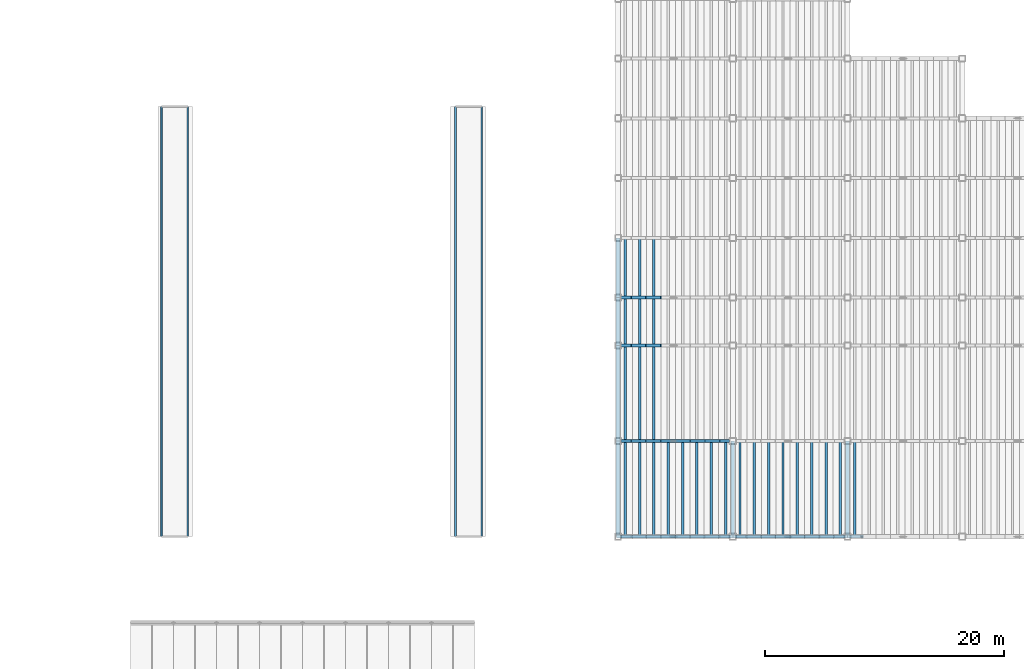
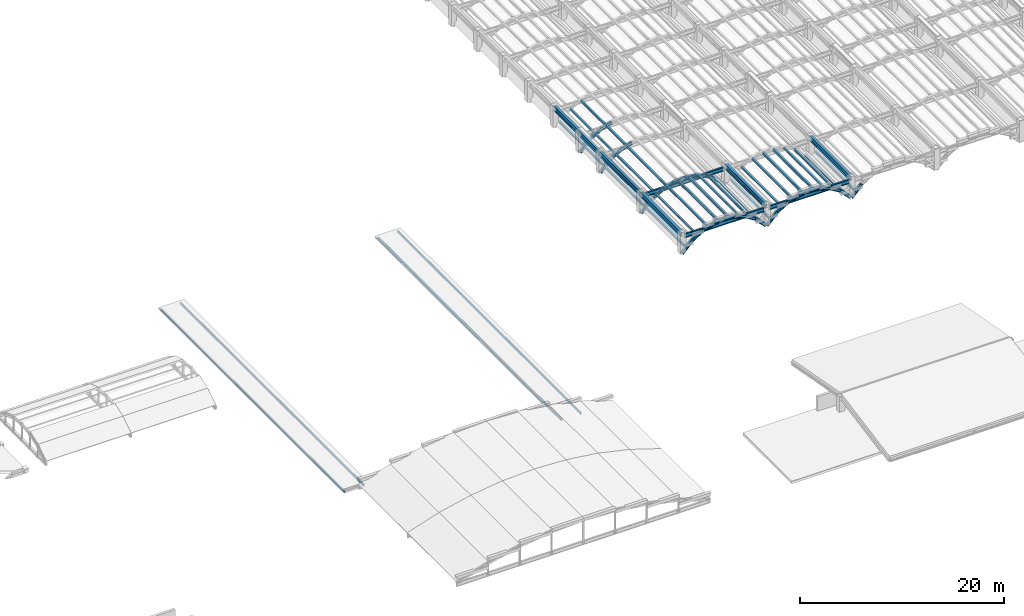
# One storey, part 16 of 70: 57 members, 13 beams.
"""IFC4 building model written with IfcOpenShell, lengths in metres."""

from ifc_helpers import new_model, si_unit, direction, frame, origin, origin_2d, place, context, subcontext, project, spatial, hollow_rectangle, i_section, extrude, material, material_profile, profile_set, type_object, element, save


model = new_model("IFC4")

# Units and contexts
model_context = context("Model", 3, precision=1e-05, world=origin(), true_north=direction((0.0, 1.0)))
body_context = subcontext(model_context, "Body", "Model", "MODEL_VIEW")
ifc_project = project(units=[si_unit("LENGTHUNIT", "METRE"), si_unit("AREAUNIT", "SQUARE_METRE"), si_unit("VOLUMEUNIT", "CUBIC_METRE"), si_unit("PLANEANGLEUNIT", "RADIAN"), si_unit("MASSUNIT", "GRAM", prefix="KILO")], contexts=[model_context])

# Site, building, storey
site_placement = place(None, origin())
site = spatial("IfcSite", under=ifc_project, at=site_placement, CompositionType="ELEMENT")
building_placement = place(site_placement, origin())
building = spatial("IfcBuilding", under=site, at=building_placement, Name="Mavantir Sound Aquarium", CompositionType="ELEMENT")
storey_placement = place(building_placement, frame((0.0, 0.0, 27.0)))
storey = spatial("IfcBuildingStorey", under=building, at=storey_placement, Name="RF", CompositionType="ELEMENT", Elevation=27.0)

# Beams
ifc_material_1 = material(Name="Hollow Structural Steel ASTM A500 GrC", Category="steel")
ifc_material_profile_1 = material_profile(ifc_material_1, hollow_rectangle(XDim=0.14990234375, YDim=0.25, WallThickness=0.010009765625, InnerFilletRadius=0.010009765625, OuterFilletRadius=0.02001953125, at=origin_2d()), Name="RHS 250X150X10")
ifc_profile_set_1 = profile_set([ifc_material_profile_1], Name="Hollow Structural Steel ASTM A500 GrC")
beam_type_1 = type_object("IfcBeamType", Name="BM-RHS250-E", PredefinedType="BEAM", material=ifc_profile_set_1)
for number, where, z_axis, x_axis, name in (
    (1, (69.800048828125, 40.800048828125, -22.52490234375), (0.0, 1.0, 0.0), (-1.0, 0.0, 0.0), "Tidal court colonnade canopy beam W1"),
    (2, (72.0, 40.800048828125, -22.52490234375), (0.0, 1.0, 0.0), (-1.0, 0.0, 0.0), "Tidal court colonnade canopy beam W2"),
    (3, (94.39990234375, 40.800048828125, -22.52490234375), (0.0, 1.0, 0.0), (-1.0, 0.0, 0.0), "Tidal court colonnade canopy beam E1"),
    (4, (96.60009765625, 40.800048828125, -22.52490234375), (0.0, 1.0, 0.0), (-1.0, 0.0, 0.0), "Tidal court colonnade canopy beam E2"),
):
    element("IfcBeam", number, at=place(storey_placement, frame(where, z_axis=z_axis, x_axis=x_axis)), inside=storey, type_object=beam_type_1, Name=name, PredefinedType="BEAM", context=body_context, shape_type="SweptSolid", body=[
        extrude(hollow_rectangle(XDim=0.14990234375, YDim=0.25, WallThickness=0.010009765625, InnerFilletRadius=0.010009765625, OuterFilletRadius=0.02001953125, at=origin_2d()), origin(), (0.0, 0.0, 1.0), 36.0),
    ])
ifc_material_2 = material(Name="Structural Steel ASTM A992 Gr50", Category="steel")
ifc_material_profile_2 = material_profile(ifc_material_2, i_section(OverallWidth=0.194091796875, OverallDepth=0.468994140625, WebThickness=0.0126953125, FlangeThickness=0.0205078125, FilletRadius=0.01611328125, at=origin_2d()), Name="W460X106")
ifc_profile_set_2 = profile_set([ifc_material_profile_2], Name="Structural Steel ASTM A992 Gr50")
beam_type_2 = type_object("IfcBeamType", Name="BM-W460X106-I", PredefinedType="BEAM", material=ifc_profile_set_2)
for number, where, z_axis, x_axis, name in (
    (5, (108.25, 40.800048828125, -5.327392578125), (1.0, 0.0, 0.0), (0.0, 1.0, 0.0), "Scalloped bay 1 transverse tie girder 1"),
    (6, (108.25, 48.800048828125, -5.327392578125), (1.0, 0.0, 0.0), (0.0, 1.0, 0.0), "Scalloped bay 1 transverse tie girder 11"),
):
    element("IfcBeam", number, at=place(storey_placement, frame(where, z_axis=z_axis, x_axis=x_axis)), inside=storey, type_object=beam_type_2, Name=name, PredefinedType="BEAM", context=body_context, shape_type="SweptSolid", body=[
        extrude(i_section(OverallWidth=0.194091796875, OverallDepth=0.468994140625, WebThickness=0.0126953125, FlangeThickness=0.0205078125, FilletRadius=0.01611328125, at=origin_2d()), origin(), (0.0, 0.0, 1.0), 9.10009765625),
    ])
beam_1_placement = place(storey_placement, frame((117.85009765625, 40.800048828125, -5.327392578125), z_axis=(1.0, 0.0, 0.0), x_axis=(0.0, 1.0, 0.0)))
element("IfcBeam", 7, at=beam_1_placement, inside=storey, type_object=beam_type_2, Name="Scalloped bay 2 transverse tie girder 101", PredefinedType="BEAM", context=body_context, shape_type="SweptSolid", body=[
    extrude(i_section(OverallWidth=0.194091796875, OverallDepth=0.468994140625, WebThickness=0.0126953125, FlangeThickness=0.0205078125, FilletRadius=0.01611328125, at=origin_2d()), origin(), (0.0, 0.0, 1.0), 9.099853515625),
])
ifc_material_profile_3 = material_profile(ifc_material_2, i_section(OverallWidth=0.323974609375, OverallDepth=0.611083984375, WebThickness=0.0126953125, FlangeThickness=0.01904296875, FilletRadius=0.01904296875, at=origin_2d()), Name="W610X155")
ifc_profile_set_3 = profile_set([ifc_material_profile_3], Name="Structural Steel ASTM A992 Gr50")
beam_type_3 = type_object("IfcBeamType", Name="BM-W610X155-E", PredefinedType="BEAM", material=ifc_profile_set_3)
for number, where, z_axis, x_axis, name in (
    (8, (108.0, 40.800048828125, -5.0048828125), (0.0, 1.0, 0.0), (-1.0, 0.0, 0.0), "Scalloped roof straight ridge beam 1"),
    (9, (108.0, 48.800048828125, -5.0048828125), (0.0, 1.0, 0.0), (-1.0, 0.0, 0.0), "Scalloped roof straight ridge beam 2"),
):
    element("IfcBeam", number, at=place(storey_placement, frame(where, z_axis=z_axis, x_axis=x_axis)), inside=storey, type_object=beam_type_3, Name=name, PredefinedType="BEAM", context=body_context, shape_type="SweptSolid", body=[
        extrude(i_section(OverallWidth=0.323974609375, OverallDepth=0.611083984375, WebThickness=0.0126953125, FlangeThickness=0.01904296875, FilletRadius=0.01904296875, at=origin_2d()), origin(), (0.0, 0.0, 1.0), 8.0),
    ])
beam_2_placement = place(storey_placement, frame((108.0, 56.800048828125, -5.0048828125), z_axis=(0.0, 1.0, 0.0), x_axis=(-1.0, 0.0, 0.0)))
element("IfcBeam", 10, at=beam_2_placement, inside=storey, type_object=beam_type_3, Name="Scalloped roof straight ridge beam 3", PredefinedType="BEAM", context=body_context, shape_type="SweptSolid", body=[
    extrude(i_section(OverallWidth=0.323974609375, OverallDepth=0.611083984375, WebThickness=0.0126953125, FlangeThickness=0.01904296875, FilletRadius=0.01904296875, at=origin_2d()), origin(), (0.0, 0.0, 1.0), 4.0),
])
beam_3_placement = place(storey_placement, frame((108.0, 60.800048828125, -5.0048828125), z_axis=(0.0, 1.0, 0.0), x_axis=(-1.0, 0.0, 0.0)))
element("IfcBeam", 11, at=beam_3_placement, inside=storey, type_object=beam_type_3, Name="Scalloped roof straight ridge beam 4", PredefinedType="BEAM", context=body_context, shape_type="SweptSolid", body=[
    extrude(i_section(OverallWidth=0.323974609375, OverallDepth=0.611083984375, WebThickness=0.0126953125, FlangeThickness=0.01904296875, FilletRadius=0.01904296875, at=origin_2d()), origin(), (0.0, 0.0, 1.0), 5.0),
])
for number, where, z_axis, x_axis, name in (
    (12, (117.60009765625, 40.800048828125, -5.0048828125), (0.0, 1.0, 0.0), (-1.0, 0.0, 0.0), "Scalloped roof straight ridge beam 10"),
    (13, (127.199951171875, 40.800048828125, -5.0048828125), (0.0, 1.0, 0.0), (-1.0, 0.0, 0.0), "Scalloped roof straight ridge beam 19"),
):
    element("IfcBeam", number, at=place(storey_placement, frame(where, z_axis=z_axis, x_axis=x_axis)), inside=storey, type_object=beam_type_3, Name=name, PredefinedType="BEAM", context=body_context, shape_type="SweptSolid", body=[
        extrude(i_section(OverallWidth=0.323974609375, OverallDepth=0.611083984375, WebThickness=0.0126953125, FlangeThickness=0.01904296875, FilletRadius=0.01904296875, at=origin_2d()), origin(), (0.0, 0.0, 1.0), 8.0),
    ])

# Members
ifc_material_profile_4 = material_profile(ifc_material_2, i_section(OverallWidth=0.202880859375, OverallDepth=0.202880859375, WebThickness=0.007080078125, FlangeThickness=0.010986328125, FilletRadius=0.010009765625, at=origin_2d()), Name="W200X46")
ifc_profile_set_4 = profile_set([ifc_material_profile_4], Name="Structural Steel ASTM A992 Gr50")
member_type_1 = type_object("IfcMemberType", Name="MEM-TR-W200", PredefinedType="PURLIN", material=ifc_profile_set_4)
for number, where, z_axis, x_axis, name in (
    (14, (109.800048828125, 40.800048828125, -5.77978515625), (0.0, 1.0, 0.0), (-1.0, 0.0, 0.0), "Scalloped bay 1 roof purlin 2"),
    (15, (114.60009765625, 40.800048828125, -5.169921875), (0.0, 1.0, 0.0), (-1.0, 0.0, 0.0), "Scalloped bay 1 roof purlin 6"),
    (16, (117.0, 40.800048828125, -6.881103515625), (0.0, 1.0, 0.0), (-1.0, 0.0, 0.0), "Scalloped bay 1 roof purlin 8"),
    (17, (109.800048828125, 48.800048828125, -5.77978515625), (0.0, 1.0, 0.0), (-1.0, 0.0, 0.0), "Scalloped bay 1 roof purlin 10"),
):
    element("IfcMember", number, at=place(storey_placement, frame(where, z_axis=z_axis, x_axis=x_axis)), inside=storey, type_object=member_type_1, Name=name, PredefinedType="PURLIN", context=body_context, shape_type="SweptSolid", body=[
        extrude(i_section(OverallWidth=0.202880859375, OverallDepth=0.202880859375, WebThickness=0.007080078125, FlangeThickness=0.010986328125, FilletRadius=0.010009765625, at=origin_2d()), origin(), (0.0, 0.0, 1.0), 8.0),
    ])
member_1_placement = place(storey_placement, frame((109.800048828125, 56.800048828125, -5.77978515625), z_axis=(0.0, 1.0, 0.0), x_axis=(-1.0, 0.0, 0.0)))
element("IfcMember", 18, at=member_1_placement, inside=storey, type_object=member_type_1, Name="Scalloped bay 1 roof purlin 18", PredefinedType="PURLIN", context=body_context, shape_type="SweptSolid", body=[
    extrude(i_section(OverallWidth=0.202880859375, OverallDepth=0.202880859375, WebThickness=0.007080078125, FlangeThickness=0.010986328125, FilletRadius=0.010009765625, at=origin_2d()), origin(), (0.0, 0.0, 1.0), 4.0),
])
member_2_placement = place(storey_placement, frame((109.800048828125, 60.800048828125, -5.77978515625), z_axis=(0.0, 1.0, 0.0), x_axis=(-1.0, 0.0, 0.0)))
element("IfcMember", 19, at=member_2_placement, inside=storey, type_object=member_type_1, Name="Scalloped bay 1 roof purlin 26", PredefinedType="PURLIN", context=body_context, shape_type="SweptSolid", body=[
    extrude(i_section(OverallWidth=0.202880859375, OverallDepth=0.202880859375, WebThickness=0.007080078125, FlangeThickness=0.010986328125, FilletRadius=0.010009765625, at=origin_2d()), origin(), (0.0, 0.0, 1.0), 5.0),
])
for number, where, z_axis, x_axis, name in (
    (20, (119.39990234375, 40.800048828125, -5.77978515625), (0.0, 1.0, 0.0), (-1.0, 0.0, 0.0), "Scalloped bay 2 roof purlin 74"),
    (21, (124.199951171875, 40.800048828125, -5.169921875), (0.0, 1.0, 0.0), (-1.0, 0.0, 0.0), "Scalloped bay 2 roof purlin 78"),
    (22, (126.60009765625, 40.800048828125, -6.881103515625), (0.0, 1.0, 0.0), (-1.0, 0.0, 0.0), "Scalloped bay 2 roof purlin 80"),
):
    element("IfcMember", number, at=place(storey_placement, frame(where, z_axis=z_axis, x_axis=x_axis)), inside=storey, type_object=member_type_1, Name=name, PredefinedType="PURLIN", context=body_context, shape_type="SweptSolid", body=[
        extrude(i_section(OverallWidth=0.202880859375, OverallDepth=0.202880859375, WebThickness=0.007080078125, FlangeThickness=0.010986328125, FilletRadius=0.010009765625, at=origin_2d()), origin(), (0.0, 0.0, 1.0), 8.0),
    ])
ifc_material_profile_5 = material_profile(ifc_material_2, i_section(OverallWidth=0.202880859375, OverallDepth=0.251953125, WebThickness=0.008056640625, FlangeThickness=0.013427734375, FilletRadius=0.011962890625, at=origin_2d()), Name="W250X58")
ifc_profile_set_5 = profile_set([ifc_material_profile_5], Name="Structural Steel ASTM A992 Gr50")
member_type_2 = type_object("IfcMemberType", Name="MEM-TR-W250", PredefinedType="PURLIN", material=ifc_profile_set_5)
for number, where, z_axis, x_axis, name in (
    (23, (108.60009765625, 40.800048828125, -6.90576171875), (0.0, 1.0, 0.0), (-1.0, 0.0, 0.0), "Scalloped bay 1 roof purlin 1"),
    (24, (111.0, 40.800048828125, -5.194580078125), (0.0, 1.0, 0.0), (-1.0, 0.0, 0.0), "Scalloped bay 1 roof purlin 3"),
    (25, (115.800048828125, 40.800048828125, -5.804443359375), (0.0, 1.0, 0.0), (-1.0, 0.0, 0.0), "Scalloped bay 1 roof purlin 7"),
    (26, (108.60009765625, 48.800048828125, -6.90576171875), (0.0, 1.0, 0.0), (-1.0, 0.0, 0.0), "Scalloped bay 1 roof purlin 9"),
    (27, (111.0, 48.800048828125, -5.194580078125), (0.0, 1.0, 0.0), (-1.0, 0.0, 0.0), "Scalloped bay 1 roof purlin 11"),
):
    element("IfcMember", number, at=place(storey_placement, frame(where, z_axis=z_axis, x_axis=x_axis)), inside=storey, type_object=member_type_2, Name=name, PredefinedType="PURLIN", context=body_context, shape_type="SweptSolid", body=[
        extrude(i_section(OverallWidth=0.202880859375, OverallDepth=0.251953125, WebThickness=0.008056640625, FlangeThickness=0.013427734375, FilletRadius=0.011962890625, at=origin_2d()), origin(), (0.0, 0.0, 1.0), 8.0),
    ])
for number, where, z_axis, x_axis, name in (
    (28, (108.60009765625, 56.800048828125, -6.90576171875), (0.0, 1.0, 0.0), (-1.0, 0.0, 0.0), "Scalloped bay 1 roof purlin 17"),
    (29, (111.0, 56.800048828125, -5.194580078125), (0.0, 1.0, 0.0), (-1.0, 0.0, 0.0), "Scalloped bay 1 roof purlin 19"),
):
    element("IfcMember", number, at=place(storey_placement, frame(where, z_axis=z_axis, x_axis=x_axis)), inside=storey, type_object=member_type_2, Name=name, PredefinedType="PURLIN", context=body_context, shape_type="SweptSolid", body=[
        extrude(i_section(OverallWidth=0.202880859375, OverallDepth=0.251953125, WebThickness=0.008056640625, FlangeThickness=0.013427734375, FilletRadius=0.011962890625, at=origin_2d()), origin(), (0.0, 0.0, 1.0), 4.0),
    ])
for number, where, z_axis, x_axis, name in (
    (30, (108.60009765625, 60.800048828125, -6.90576171875), (0.0, 1.0, 0.0), (-1.0, 0.0, 0.0), "Scalloped bay 1 roof purlin 25"),
    (31, (111.0, 60.800048828125, -5.194580078125), (0.0, 1.0, 0.0), (-1.0, 0.0, 0.0), "Scalloped bay 1 roof purlin 27"),
):
    element("IfcMember", number, at=place(storey_placement, frame(where, z_axis=z_axis, x_axis=x_axis)), inside=storey, type_object=member_type_2, Name=name, PredefinedType="PURLIN", context=body_context, shape_type="SweptSolid", body=[
        extrude(i_section(OverallWidth=0.202880859375, OverallDepth=0.251953125, WebThickness=0.008056640625, FlangeThickness=0.013427734375, FilletRadius=0.011962890625, at=origin_2d()), origin(), (0.0, 0.0, 1.0), 5.0),
    ])
for number, where, z_axis, x_axis, name in (
    (32, (118.199951171875, 40.800048828125, -6.90576171875), (0.0, 1.0, 0.0), (-1.0, 0.0, 0.0), "Scalloped bay 2 roof purlin 73"),
    (33, (120.60009765625, 40.800048828125, -5.194580078125), (0.0, 1.0, 0.0), (-1.0, 0.0, 0.0), "Scalloped bay 2 roof purlin 75"),
    (34, (125.39990234375, 40.800048828125, -5.804443359375), (0.0, 1.0, 0.0), (-1.0, 0.0, 0.0), "Scalloped bay 2 roof purlin 79"),
    (35, (127.800048828125, 40.800048828125, -6.90576171875), (0.0, 1.0, 0.0), (-1.0, 0.0, 0.0), "Scalloped bay 3 roof purlin 137"),
):
    element("IfcMember", number, at=place(storey_placement, frame(where, z_axis=z_axis, x_axis=x_axis)), inside=storey, type_object=member_type_2, Name=name, PredefinedType="PURLIN", context=body_context, shape_type="SweptSolid", body=[
        extrude(i_section(OverallWidth=0.202880859375, OverallDepth=0.251953125, WebThickness=0.008056640625, FlangeThickness=0.013427734375, FilletRadius=0.011962890625, at=origin_2d()), origin(), (0.0, 0.0, 1.0), 8.0),
    ])
ifc_material_profile_6 = material_profile(ifc_material_2, i_section(OverallWidth=0.205078125, OverallDepth=0.31005859375, WebThickness=0.009521484375, FlangeThickness=0.016357421875, FilletRadius=0.012939453125, at=origin_2d()), Name="W310X74")
ifc_profile_set_6 = profile_set([ifc_material_profile_6], Name="Structural Steel ASTM A992 Gr50")
member_type_3 = type_object("IfcMemberType", Name="MEM-TR-W310", PredefinedType="RAFTER", material=ifc_profile_set_6)
for number, where, z_axis, x_axis, name in (
    (36, (112.199951171875, 40.800048828125, -4.933837890625), (0.0, 1.0, 0.0), (-1.0, 0.0, 0.0), "Scalloped bay 1 roof purlin 4"),
    (37, (113.39990234375, 40.800048828125, -4.933837890625), (0.0, 1.0, 0.0), (-1.0, 0.0, 0.0), "Scalloped bay 1 roof purlin 5"),
    (38, (121.800048828125, 40.800048828125, -4.933837890625), (0.0, 1.0, 0.0), (-1.0, 0.0, 0.0), "Scalloped bay 2 roof purlin 76"),
    (39, (123.0, 40.800048828125, -4.933837890625), (0.0, 1.0, 0.0), (-1.0, 0.0, 0.0), "Scalloped bay 2 roof purlin 77"),
):
    element("IfcMember", number, at=place(storey_placement, frame(where, z_axis=z_axis, x_axis=x_axis)), inside=storey, type_object=member_type_3, Name=name, PredefinedType="RAFTER", context=body_context, shape_type="SweptSolid", body=[
        extrude(i_section(OverallWidth=0.205078125, OverallDepth=0.31005859375, WebThickness=0.009521484375, FlangeThickness=0.016357421875, FilletRadius=0.012939453125, at=origin_2d()), origin(), (0.0, 0.0, 1.0), 8.0),
    ])
ifc_material_profile_7 = material_profile(ifc_material_2, i_section(OverallWidth=0.25390625, OverallDepth=0.35302734375, WebThickness=0.009521484375, FlangeThickness=0.016357421875, FilletRadius=0.014892578125, at=origin_2d()), Name="W360X91")
ifc_profile_set_7 = profile_set([ifc_material_profile_7], Name="Structural Steel ASTM A992 Gr50")
member_type_4 = type_object("IfcMemberType", Name="MEM-TR-W360", PredefinedType="RAFTER", material=ifc_profile_set_7)
member_3_placement = place(storey_placement, frame((108.0, 40.800048828125, -7.37646484375), z_axis=(0.688727365252, 0.0, 0.725020424784), x_axis=(0.0, 1.0, 0.0)))
element("IfcMember", 40, at=member_3_placement, inside=storey, type_object=member_type_4, Name="Scalloped bay 1 sagging-arc trough rib 2", PredefinedType="RAFTER", context=body_context, shape_type="SweptSolid", body=[
    extrude(i_section(OverallWidth=0.25390625, OverallDepth=0.35302734375, WebThickness=0.009521484375, FlangeThickness=0.016357421875, FilletRadius=0.014892578125, at=origin_2d()), origin(), (0.0, 0.0, 1.0), 1.7421875),
])
member_4_placement = place(storey_placement, frame((109.199951171875, 40.800048828125, -6.11328125), z_axis=(0.856645937356, 0.0, 0.515904776109), x_axis=(0.0, 1.0, 0.0)))
element("IfcMember", 41, at=member_4_placement, inside=storey, type_object=member_type_4, Name="Scalloped bay 1 sagging-arc trough rib 3", PredefinedType="RAFTER", context=body_context, shape_type="SweptSolid", body=[
    extrude(i_section(OverallWidth=0.25390625, OverallDepth=0.35302734375, WebThickness=0.009521484375, FlangeThickness=0.016357421875, FilletRadius=0.014892578125, at=origin_2d()), origin(), (0.0, 0.0, 1.0), 1.400634765625),
])
member_5_placement = place(storey_placement, frame((110.39990234375, 40.800048828125, -5.390625), z_axis=(0.951073869353, 0.0, 0.30896358205), x_axis=(0.0, 1.0, 0.0)))
element("IfcMember", 42, at=member_5_placement, inside=storey, type_object=member_type_4, Name="Scalloped bay 1 sagging-arc trough rib 4", PredefinedType="RAFTER", context=body_context, shape_type="SweptSolid", body=[
    extrude(i_section(OverallWidth=0.25390625, OverallDepth=0.35302734375, WebThickness=0.009521484375, FlangeThickness=0.016357421875, FilletRadius=0.014892578125, at=origin_2d()), origin(), (0.0, 0.0, 1.0), 1.261962890625),
])
for number, where, z_axis, x_axis, name in (
    (43, (111.60009765625, 40.800048828125, -5.000732421875), (0.994680359373, 0.0, 0.103009624196), (0.0, 1.0, 0.0), "Scalloped bay 1 sagging-arc trough rib 5"),
    (44, (112.800048828125, 40.800048828125, -4.87646484375), (0.994680359373, 0.0, -0.103009624196), (0.0, 1.0, 0.0), "Scalloped bay 1 sagging-arc trough rib 6"),
):
    element("IfcMember", number, at=place(storey_placement, frame(where, z_axis=z_axis, x_axis=x_axis)), inside=storey, type_object=member_type_4, Name=name, PredefinedType="RAFTER", context=body_context, shape_type="SweptSolid", body=[
        extrude(i_section(OverallWidth=0.25390625, OverallDepth=0.35302734375, WebThickness=0.009521484375, FlangeThickness=0.016357421875, FilletRadius=0.014892578125, at=origin_2d()), origin(), (0.0, 0.0, 1.0), 1.206298828125),
    ])
member_6_placement = place(storey_placement, frame((114.0, 40.800048828125, -5.000732421875), z_axis=(0.951055396379, 0.0, -0.309020441102), x_axis=(0.0, 1.0, 0.0)))
element("IfcMember", 45, at=member_6_placement, inside=storey, type_object=member_type_4, Name="Scalloped bay 1 sagging-arc trough rib 8", PredefinedType="RAFTER", context=body_context, shape_type="SweptSolid", body=[
    extrude(i_section(OverallWidth=0.25390625, OverallDepth=0.35302734375, WebThickness=0.009521484375, FlangeThickness=0.016357421875, FilletRadius=0.014892578125, at=origin_2d()), origin(), (0.0, 0.0, 1.0), 1.26171875),
])
member_7_placement = place(storey_placement, frame((115.199951171875, 40.800048828125, -5.390625), z_axis=(0.856645937356, 0.0, -0.515904776109), x_axis=(0.0, 1.0, 0.0)))
element("IfcMember", 46, at=member_7_placement, inside=storey, type_object=member_type_4, Name="Scalloped bay 1 sagging-arc trough rib 9", PredefinedType="RAFTER", context=body_context, shape_type="SweptSolid", body=[
    extrude(i_section(OverallWidth=0.25390625, OverallDepth=0.35302734375, WebThickness=0.009521484375, FlangeThickness=0.016357421875, FilletRadius=0.014892578125, at=origin_2d()), origin(), (0.0, 0.0, 1.0), 1.400634765625),
])
member_8_placement = place(storey_placement, frame((116.39990234375, 40.800048828125, -6.11328125), z_axis=(0.688801013332, 0.0, -0.724950456261), x_axis=(0.0, 1.0, 0.0)))
element("IfcMember", 47, at=member_8_placement, inside=storey, type_object=member_type_4, Name="Scalloped bay 1 sagging-arc trough rib 10", PredefinedType="RAFTER", context=body_context, shape_type="SweptSolid", body=[
    extrude(i_section(OverallWidth=0.25390625, OverallDepth=0.35302734375, WebThickness=0.009521484375, FlangeThickness=0.016357421875, FilletRadius=0.014892578125, at=origin_2d()), origin(), (0.0, 0.0, 1.0), 1.742431640625),
])
member_9_placement = place(storey_placement, frame((108.0, 48.800048828125, -7.37646484375), z_axis=(0.688727365252, 0.0, 0.725020424784), x_axis=(0.0, 1.0, 0.0)))
element("IfcMember", 48, at=member_9_placement, inside=storey, type_object=member_type_4, Name="Scalloped bay 1 sagging-arc trough rib 12", PredefinedType="RAFTER", context=body_context, shape_type="SweptSolid", body=[
    extrude(i_section(OverallWidth=0.25390625, OverallDepth=0.35302734375, WebThickness=0.009521484375, FlangeThickness=0.016357421875, FilletRadius=0.014892578125, at=origin_2d()), origin(), (0.0, 0.0, 1.0), 1.7421875),
])
member_10_placement = place(storey_placement, frame((109.199951171875, 48.800048828125, -6.11328125), z_axis=(0.856645937356, 0.0, 0.515904776109), x_axis=(0.0, 1.0, 0.0)))
element("IfcMember", 49, at=member_10_placement, inside=storey, type_object=member_type_4, Name="Scalloped bay 1 sagging-arc trough rib 13", PredefinedType="RAFTER", context=body_context, shape_type="SweptSolid", body=[
    extrude(i_section(OverallWidth=0.25390625, OverallDepth=0.35302734375, WebThickness=0.009521484375, FlangeThickness=0.016357421875, FilletRadius=0.014892578125, at=origin_2d()), origin(), (0.0, 0.0, 1.0), 1.400634765625),
])
member_11_placement = place(storey_placement, frame((110.39990234375, 48.800048828125, -5.390625), z_axis=(0.951073869353, 0.0, 0.30896358205), x_axis=(0.0, 1.0, 0.0)))
element("IfcMember", 50, at=member_11_placement, inside=storey, type_object=member_type_4, Name="Scalloped bay 1 sagging-arc trough rib 14", PredefinedType="RAFTER", context=body_context, shape_type="SweptSolid", body=[
    extrude(i_section(OverallWidth=0.25390625, OverallDepth=0.35302734375, WebThickness=0.009521484375, FlangeThickness=0.016357421875, FilletRadius=0.014892578125, at=origin_2d()), origin(), (0.0, 0.0, 1.0), 1.261962890625),
])
for number, where, z_axis, x_axis, name in (
    (51, (111.60009765625, 48.800048828125, -5.000732421875), (0.994680359373, 0.0, 0.103009624196), (0.0, 1.0, 0.0), "Scalloped bay 1 sagging-arc trough rib 15"),
    (52, (112.800048828125, 48.800048828125, -4.87646484375), (0.994680359373, 0.0, -0.103009624196), (0.0, 1.0, 0.0), "Scalloped bay 1 sagging-arc trough rib 16"),
):
    element("IfcMember", number, at=place(storey_placement, frame(where, z_axis=z_axis, x_axis=x_axis)), inside=storey, type_object=member_type_4, Name=name, PredefinedType="RAFTER", context=body_context, shape_type="SweptSolid", body=[
        extrude(i_section(OverallWidth=0.25390625, OverallDepth=0.35302734375, WebThickness=0.009521484375, FlangeThickness=0.016357421875, FilletRadius=0.014892578125, at=origin_2d()), origin(), (0.0, 0.0, 1.0), 1.206298828125),
    ])
member_12_placement = place(storey_placement, frame((114.0, 48.800048828125, -5.000732421875), z_axis=(0.951055396379, 0.0, -0.309020441102), x_axis=(0.0, 1.0, 0.0)))
element("IfcMember", 53, at=member_12_placement, inside=storey, type_object=member_type_4, Name="Scalloped bay 1 sagging-arc trough rib 18", PredefinedType="RAFTER", context=body_context, shape_type="SweptSolid", body=[
    extrude(i_section(OverallWidth=0.25390625, OverallDepth=0.35302734375, WebThickness=0.009521484375, FlangeThickness=0.016357421875, FilletRadius=0.014892578125, at=origin_2d()), origin(), (0.0, 0.0, 1.0), 1.26171875),
])
member_13_placement = place(storey_placement, frame((115.199951171875, 48.800048828125, -5.390625), z_axis=(0.856645937356, 0.0, -0.515904776109), x_axis=(0.0, 1.0, 0.0)))
element("IfcMember", 54, at=member_13_placement, inside=storey, type_object=member_type_4, Name="Scalloped bay 1 sagging-arc trough rib 19", PredefinedType="RAFTER", context=body_context, shape_type="SweptSolid", body=[
    extrude(i_section(OverallWidth=0.25390625, OverallDepth=0.35302734375, WebThickness=0.009521484375, FlangeThickness=0.016357421875, FilletRadius=0.014892578125, at=origin_2d()), origin(), (0.0, 0.0, 1.0), 1.400634765625),
])
member_14_placement = place(storey_placement, frame((116.39990234375, 48.800048828125, -6.11328125), z_axis=(0.688801013332, 0.0, -0.724950456261), x_axis=(0.0, 1.0, 0.0)))
element("IfcMember", 55, at=member_14_placement, inside=storey, type_object=member_type_4, Name="Scalloped bay 1 sagging-arc trough rib 20", PredefinedType="RAFTER", context=body_context, shape_type="SweptSolid", body=[
    extrude(i_section(OverallWidth=0.25390625, OverallDepth=0.35302734375, WebThickness=0.009521484375, FlangeThickness=0.016357421875, FilletRadius=0.014892578125, at=origin_2d()), origin(), (0.0, 0.0, 1.0), 1.742431640625),
])
member_15_placement = place(storey_placement, frame((108.0, 56.800048828125, -7.37646484375), z_axis=(0.688727365252, 0.0, 0.725020424784), x_axis=(0.0, 1.0, 0.0)))
element("IfcMember", 56, at=member_15_placement, inside=storey, type_object=member_type_4, Name="Scalloped bay 1 sagging-arc trough rib 22", PredefinedType="RAFTER", context=body_context, shape_type="SweptSolid", body=[
    extrude(i_section(OverallWidth=0.25390625, OverallDepth=0.35302734375, WebThickness=0.009521484375, FlangeThickness=0.016357421875, FilletRadius=0.014892578125, at=origin_2d()), origin(), (0.0, 0.0, 1.0), 1.7421875),
])
member_16_placement = place(storey_placement, frame((109.199951171875, 56.800048828125, -6.11328125), z_axis=(0.856645937356, 0.0, 0.515904776109), x_axis=(0.0, 1.0, 0.0)))
element("IfcMember", 57, at=member_16_placement, inside=storey, type_object=member_type_4, Name="Scalloped bay 1 sagging-arc trough rib 23", PredefinedType="RAFTER", context=body_context, shape_type="SweptSolid", body=[
    extrude(i_section(OverallWidth=0.25390625, OverallDepth=0.35302734375, WebThickness=0.009521484375, FlangeThickness=0.016357421875, FilletRadius=0.014892578125, at=origin_2d()), origin(), (0.0, 0.0, 1.0), 1.400634765625),
])
member_17_placement = place(storey_placement, frame((110.39990234375, 56.800048828125, -5.390625), z_axis=(0.951073869353, 0.0, 0.30896358205), x_axis=(0.0, 1.0, 0.0)))
element("IfcMember", 58, at=member_17_placement, inside=storey, type_object=member_type_4, Name="Scalloped bay 1 sagging-arc trough rib 24", PredefinedType="RAFTER", context=body_context, shape_type="SweptSolid", body=[
    extrude(i_section(OverallWidth=0.25390625, OverallDepth=0.35302734375, WebThickness=0.009521484375, FlangeThickness=0.016357421875, FilletRadius=0.014892578125, at=origin_2d()), origin(), (0.0, 0.0, 1.0), 1.261962890625),
])
member_18_placement = place(storey_placement, frame((108.0, 60.800048828125, -7.37646484375), z_axis=(0.688727365252, 0.0, 0.725020424784), x_axis=(0.0, 1.0, 0.0)))
element("IfcMember", 59, at=member_18_placement, inside=storey, type_object=member_type_4, Name="Scalloped bay 1 sagging-arc trough rib 32", PredefinedType="RAFTER", context=body_context, shape_type="SweptSolid", body=[
    extrude(i_section(OverallWidth=0.25390625, OverallDepth=0.35302734375, WebThickness=0.009521484375, FlangeThickness=0.016357421875, FilletRadius=0.014892578125, at=origin_2d()), origin(), (0.0, 0.0, 1.0), 1.7421875),
])
member_19_placement = place(storey_placement, frame((109.199951171875, 60.800048828125, -6.11328125), z_axis=(0.856645937356, 0.0, 0.515904776109), x_axis=(0.0, 1.0, 0.0)))
element("IfcMember", 60, at=member_19_placement, inside=storey, type_object=member_type_4, Name="Scalloped bay 1 sagging-arc trough rib 33", PredefinedType="RAFTER", context=body_context, shape_type="SweptSolid", body=[
    extrude(i_section(OverallWidth=0.25390625, OverallDepth=0.35302734375, WebThickness=0.009521484375, FlangeThickness=0.016357421875, FilletRadius=0.014892578125, at=origin_2d()), origin(), (0.0, 0.0, 1.0), 1.400634765625),
])
member_20_placement = place(storey_placement, frame((110.39990234375, 60.800048828125, -5.390625), z_axis=(0.951073869353, 0.0, 0.30896358205), x_axis=(0.0, 1.0, 0.0)))
element("IfcMember", 61, at=member_20_placement, inside=storey, type_object=member_type_4, Name="Scalloped bay 1 sagging-arc trough rib 34", PredefinedType="RAFTER", context=body_context, shape_type="SweptSolid", body=[
    extrude(i_section(OverallWidth=0.25390625, OverallDepth=0.35302734375, WebThickness=0.009521484375, FlangeThickness=0.016357421875, FilletRadius=0.014892578125, at=origin_2d()), origin(), (0.0, 0.0, 1.0), 1.261962890625),
])
member_21_placement = place(storey_placement, frame((117.60009765625, 40.800048828125, -7.37646484375), z_axis=(0.688727365252, 0.0, 0.725020424784), x_axis=(0.0, 1.0, 0.0)))
element("IfcMember", 62, at=member_21_placement, inside=storey, type_object=member_type_4, Name="Scalloped bay 2 sagging-arc trough rib 102", PredefinedType="RAFTER", context=body_context, shape_type="SweptSolid", body=[
    extrude(i_section(OverallWidth=0.25390625, OverallDepth=0.35302734375, WebThickness=0.009521484375, FlangeThickness=0.016357421875, FilletRadius=0.014892578125, at=origin_2d()), origin(), (0.0, 0.0, 1.0), 1.7421875),
])
member_22_placement = place(storey_placement, frame((118.800048828125, 40.800048828125, -6.11328125), z_axis=(0.856645937356, 0.0, 0.515904776109), x_axis=(0.0, 1.0, 0.0)))
element("IfcMember", 63, at=member_22_placement, inside=storey, type_object=member_type_4, Name="Scalloped bay 2 sagging-arc trough rib 103", PredefinedType="RAFTER", context=body_context, shape_type="SweptSolid", body=[
    extrude(i_section(OverallWidth=0.25390625, OverallDepth=0.35302734375, WebThickness=0.009521484375, FlangeThickness=0.016357421875, FilletRadius=0.014892578125, at=origin_2d()), origin(), (0.0, 0.0, 1.0), 1.400634765625),
])
member_23_placement = place(storey_placement, frame((120.0, 40.800048828125, -5.390625), z_axis=(0.951055396379, 0.0, 0.309020441102), x_axis=(0.0, 1.0, 0.0)))
element("IfcMember", 64, at=member_23_placement, inside=storey, type_object=member_type_4, Name="Scalloped bay 2 sagging-arc trough rib 104", PredefinedType="RAFTER", context=body_context, shape_type="SweptSolid", body=[
    extrude(i_section(OverallWidth=0.25390625, OverallDepth=0.35302734375, WebThickness=0.009521484375, FlangeThickness=0.016357421875, FilletRadius=0.014892578125, at=origin_2d()), origin(), (0.0, 0.0, 1.0), 1.26171875),
])
member_24_placement = place(storey_placement, frame((121.199951171875, 40.800048828125, -5.000732421875), z_axis=(0.994680359373, 0.0, 0.103009624196), x_axis=(0.0, 1.0, 0.0)))
element("IfcMember", 65, at=member_24_placement, inside=storey, type_object=member_type_4, Name="Scalloped bay 2 sagging-arc trough rib 105", PredefinedType="RAFTER", context=body_context, shape_type="SweptSolid", body=[
    extrude(i_section(OverallWidth=0.25390625, OverallDepth=0.35302734375, WebThickness=0.009521484375, FlangeThickness=0.016357421875, FilletRadius=0.014892578125, at=origin_2d()), origin(), (0.0, 0.0, 1.0), 1.206298828125),
])
member_25_placement = place(storey_placement, frame((122.39990234375, 40.800048828125, -4.87646484375), z_axis=(0.994682506138, 0.0, -0.102988892519), x_axis=(0.0, 1.0, 0.0)))
element("IfcMember", 66, at=member_25_placement, inside=storey, type_object=member_type_4, Name="Scalloped bay 2 sagging-arc trough rib 106", PredefinedType="RAFTER", context=body_context, shape_type="SweptSolid", body=[
    extrude(i_section(OverallWidth=0.25390625, OverallDepth=0.35302734375, WebThickness=0.009521484375, FlangeThickness=0.016357421875, FilletRadius=0.014892578125, at=origin_2d()), origin(), (0.0, 0.0, 1.0), 1.20654296875),
])
member_26_placement = place(storey_placement, frame((123.60009765625, 40.800048828125, -5.000732421875), z_axis=(0.951055396379, 0.0, -0.309020441102), x_axis=(0.0, 1.0, 0.0)))
element("IfcMember", 67, at=member_26_placement, inside=storey, type_object=member_type_4, Name="Scalloped bay 2 sagging-arc trough rib 108", PredefinedType="RAFTER", context=body_context, shape_type="SweptSolid", body=[
    extrude(i_section(OverallWidth=0.25390625, OverallDepth=0.35302734375, WebThickness=0.009521484375, FlangeThickness=0.016357421875, FilletRadius=0.014892578125, at=origin_2d()), origin(), (0.0, 0.0, 1.0), 1.26171875),
])
member_27_placement = place(storey_placement, frame((124.800048828125, 40.800048828125, -5.390625), z_axis=(0.856645937356, 0.0, -0.515904776109), x_axis=(0.0, 1.0, 0.0)))
element("IfcMember", 68, at=member_27_placement, inside=storey, type_object=member_type_4, Name="Scalloped bay 2 sagging-arc trough rib 109", PredefinedType="RAFTER", context=body_context, shape_type="SweptSolid", body=[
    extrude(i_section(OverallWidth=0.25390625, OverallDepth=0.35302734375, WebThickness=0.009521484375, FlangeThickness=0.016357421875, FilletRadius=0.014892578125, at=origin_2d()), origin(), (0.0, 0.0, 1.0), 1.400634765625),
])
for number, where, z_axis, x_axis, name in (
    (69, (126.0, 40.800048828125, -6.11328125), (0.688727365252, 0.0, -0.725020424784), (0.0, 1.0, 0.0), "Scalloped bay 2 sagging-arc trough rib 110"),
    (70, (127.199951171875, 40.800048828125, -7.37646484375), (0.688727365252, 0.0, 0.725020424784), (0.0, 1.0, 0.0), "Scalloped bay 3 sagging-arc trough rib 192"),
):
    element("IfcMember", number, at=place(storey_placement, frame(where, z_axis=z_axis, x_axis=x_axis)), inside=storey, type_object=member_type_4, Name=name, PredefinedType="RAFTER", context=body_context, shape_type="SweptSolid", body=[
        extrude(i_section(OverallWidth=0.25390625, OverallDepth=0.35302734375, WebThickness=0.009521484375, FlangeThickness=0.016357421875, FilletRadius=0.014892578125, at=origin_2d()), origin(), (0.0, 0.0, 1.0), 1.7421875),
    ])

save(model, "model.ifc")
